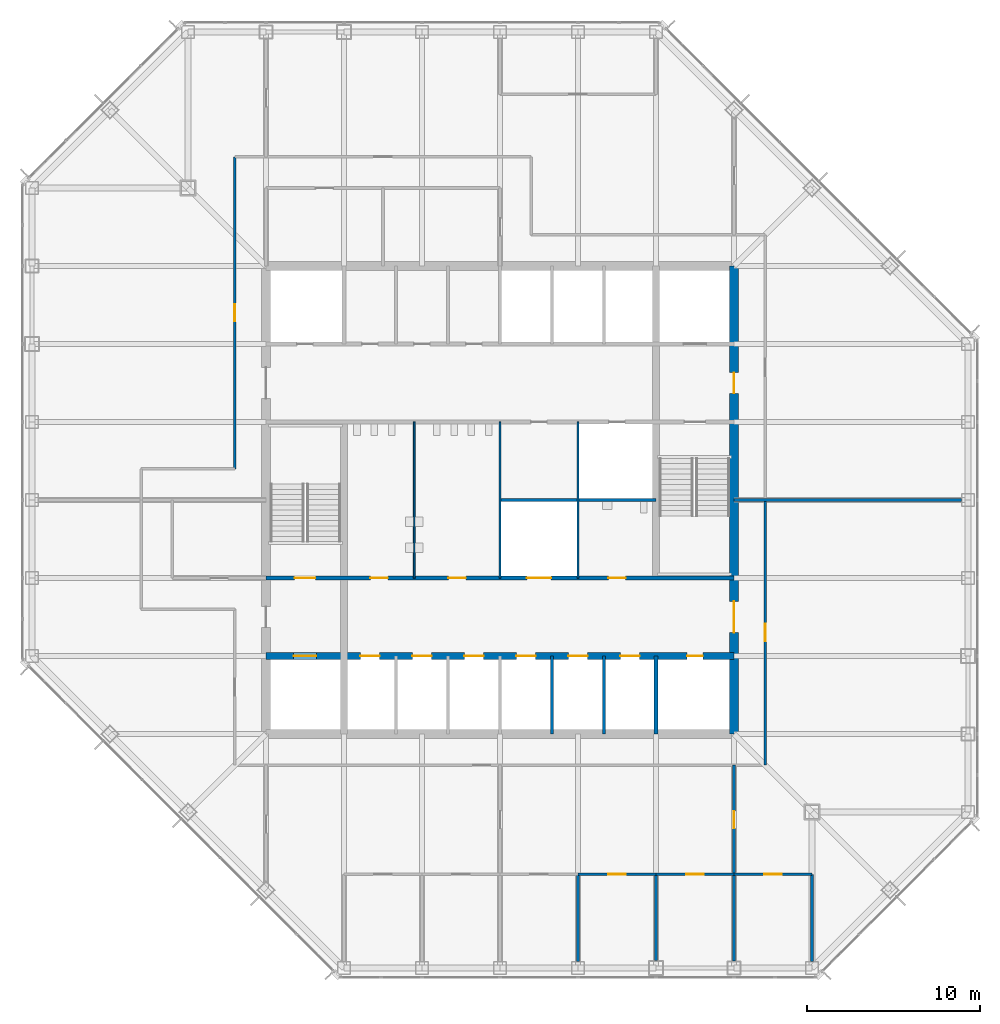
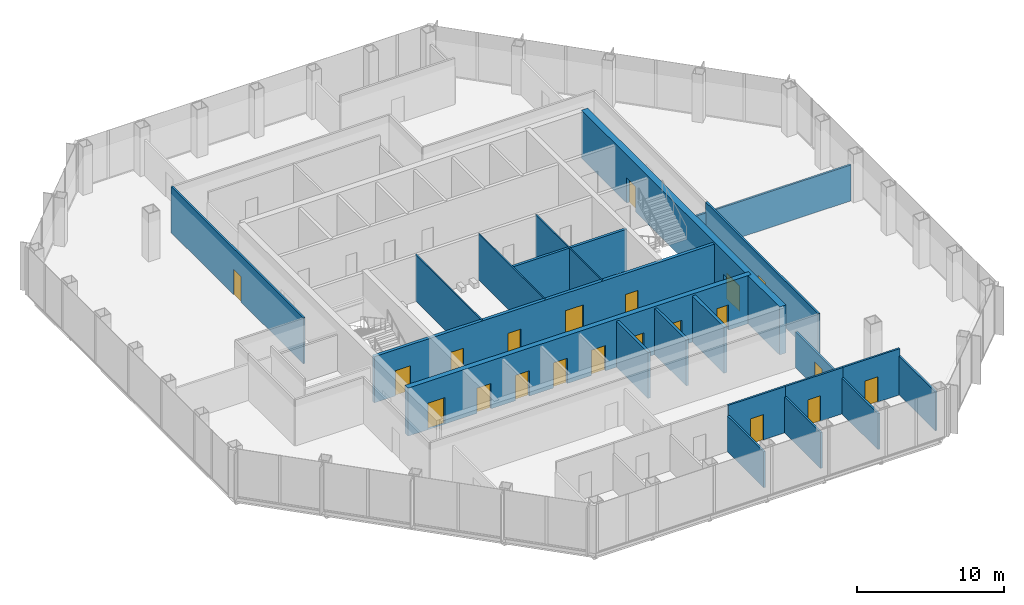
# One storey, part 9 of 12: 21 doors, 21 walls, 21 openings.
"""IFC4 building model written with IfcOpenShell, lengths in metres."""

from ifc_helpers import new_model, si_unit, direction, frame, frame_2d, origin, place, context, subcontext, project, spatial, rectangle, extrude, material, layer, layer_set, type_object, element, fill, save


model = new_model("IFC4")

# Units and contexts
model_context = context("Model", 3, precision=1e-05, world=origin(), true_north=direction((0.0, 1.0)))
body_context = subcontext(model_context, "Body", "Model", "MODEL_VIEW")
ifc_project = project(units=[si_unit("LENGTHUNIT", "METRE"), si_unit("AREAUNIT", "SQUARE_METRE"), si_unit("VOLUMEUNIT", "CUBIC_METRE"), si_unit("PLANEANGLEUNIT", "RADIAN"), si_unit("MASSUNIT", "GRAM", prefix="KILO")], contexts=[model_context])

# Site, building, storey
site_placement = place(None, origin())
site = spatial("IfcSite", under=ifc_project, at=site_placement, CompositionType="ELEMENT")
building_placement = place(site_placement, origin())
building = spatial("IfcBuilding", under=site, at=building_placement, Name="Corais Broadcast Tower", CompositionType="ELEMENT")
storey_placement = place(building_placement, frame((0.0, 0.0, 143.60009765625)))
storey = spatial("IfcBuildingStorey", under=building, at=storey_placement, Name="L32", CompositionType="ELEMENT", Elevation=143.60009765625)

# Wall
ifc_material_1 = material(Name="Concrete blockwork class A, grouted, two-hour", Category="masonry")
ifc_layer_1 = layer(ifc_material_1, 0.25)
ifc_layer_set_1 = layer_set([ifc_layer_1], Name="Concrete blockwork class A, grouted, two-hour")
wall_type_1 = type_object("IfcWallType", Name="Core lobby wall 250", PredefinedType="SOLIDWALL", material=ifc_layer_set_1)
wall_1_placement = place(storey_placement, frame((36.0, 13.5, 0.0), z_axis=(0.0, 0.0, 1.0), x_axis=(0.0, 1.0, 0.0)))
element("IfcWall", 1, at=wall_1_placement, inside=storey, type_object=wall_type_1, Name="CL2 core shaft wall X36A L32", PredefinedType="SOLIDWALL", context=body_context, shape_type="SweptSolid", body=[
    extrude(rectangle(XDim=4.5, YDim=0.25, at=frame_2d((2.25, 0.0))), origin(), (0.0, 0.0, 1.0), 3.83984375),
])

# Wall, openings, doors
wall_2_placement = place(storey_placement, frame((13.5, 22.5, 0.0), z_axis=(0.0, 0.0, 1.0), x_axis=(1.0, 0.0, 0.0)))
wall_2 = element("IfcWall", 2, at=wall_2_placement, inside=storey, type_object=wall_type_1, Name="CL2 core lobby wall Y225 L32", PredefinedType="SOLIDWALL", context=body_context, shape_type="SweptSolid", body=[
    extrude(rectangle(XDim=27.0, YDim=0.25, at=frame_2d((13.5, 0.0))), origin(), (0.0, 0.0, 1.0), 3.83984375),
])
opening_1_placement = place(wall_2_placement, frame((1.64990234375, 0.0, 0.0)))
opening_1 = element("IfcOpeningElement", 3, at=opening_1_placement, cuts=wall_2, Name="Opening FD1", PredefinedType="OPENING", context=body_context, shape_type="SweptSolid", body=[
    extrude(rectangle(XDim=1.199951171875, YDim=2.10009765625, at=frame_2d((0.60009765625, 1.050048828125))), frame((0.0, 0.135009765625, 0.0), z_axis=(0.0, -1.0, 0.0), x_axis=(1.0, 0.0, 0.0)), (0.0, 0.0, 1.0), 0.27001953125),
])
opening_2_placement = place(wall_2_placement, frame((6.02490234375, 0.0, 0.0)))
opening_2 = element("IfcOpeningElement", 4, at=opening_2_placement, cuts=wall_2, Name="Opening WD1", PredefinedType="OPENING", context=body_context, shape_type="SweptSolid", body=[
    extrude(rectangle(XDim=1.0, YDim=2.10009765625, at=frame_2d((0.5, 1.050048828125))), frame((0.0, 0.135009765625, 0.0), z_axis=(0.0, -1.0, 0.0), x_axis=(1.0, 0.0, 0.0)), (0.0, 0.0, 1.0), 0.27001953125),
])
opening_3_placement = place(wall_2_placement, frame((10.52490234375, 0.0, 0.0)))
opening_3 = element("IfcOpeningElement", 5, at=opening_3_placement, cuts=wall_2, Name="Opening WD1", PredefinedType="OPENING", context=body_context, shape_type="SweptSolid", body=[
    extrude(rectangle(XDim=1.0, YDim=2.10009765625, at=frame_2d((0.5, 1.050048828125))), frame((0.0, 0.135009765625, 0.0), z_axis=(0.0, -1.0, 0.0), x_axis=(1.0, 0.0, 0.0)), (0.0, 0.0, 1.0), 0.27001953125),
])
opening_4_placement = place(wall_2_placement, frame((19.75, 0.0, 0.0)))
opening_4 = element("IfcOpeningElement", 6, at=opening_4_placement, cuts=wall_2, Name="Opening WD1", PredefinedType="OPENING", context=body_context, shape_type="SweptSolid", body=[
    extrude(rectangle(XDim=1.0, YDim=2.10009765625, at=frame_2d((0.5, 1.050048828125))), frame((0.0, 0.135009765625, 0.0), z_axis=(0.0, -1.0, 0.0), x_axis=(1.0, 0.0, 0.0)), (0.0, 0.0, 1.0), 0.27001953125),
])
opening_5_placement = place(wall_2_placement, frame((15.050048828125, 0.0, 0.0)))
opening_5 = element("IfcOpeningElement", 7, at=opening_5_placement, cuts=wall_2, Name="Opening LD3", PredefinedType="OPENING", context=body_context, shape_type="SweptSolid", body=[
    extrude(rectangle(XDim=1.39990234375, YDim=2.39990234375, at=frame_2d((0.699951171875, 1.199951171875))), frame((0.0, 0.135009765625, 0.0), z_axis=(0.0, -1.0, 0.0), x_axis=(1.0, 0.0, 0.0)), (0.0, 0.0, 1.0), 0.27001953125),
])
ifc_material_2 = material(Name="Steel fire door", Category="steel")
door_type_1 = type_object("IfcDoorType", Name="Fire door 1200x2100", OperationType="SINGLE_SWING_LEFT", PredefinedType="DOOR", material=ifc_material_2)
door_1_placement = place(opening_1_placement, origin())
door_1 = element("IfcDoor", 8, at=door_1_placement, inside=storey, type_object=door_type_1, Name="FD1 stair A door L32", OperationType="SINGLE_SWING_LEFT", OverallHeight=2.10009765625, OverallWidth=1.199951171875, PredefinedType="DOOR", context=body_context, shape_type="SweptSolid", body=[
    extrude(rectangle(XDim=1.199951171875, YDim=2.10009765625, at=frame_2d((0.60009765625, 1.050048828125))), frame((0.0, 0.02490234375, 0.0), z_axis=(0.0, -1.0, 0.0), x_axis=(1.0, 0.0, 0.0)), (0.0, 0.0, 1.0), 0.050048828125),
])
fill(opening_1, door_1)
ifc_material_3 = material(Name="Stainless steel lift door", Category="steel")
door_type_2 = type_object("IfcDoorType", Name="Service lift landing door 1400x2400", OperationType="SLIDING_TO_LEFT", PredefinedType="DOOR", material=ifc_material_3)
door_2_placement = place(opening_5_placement, origin())
door_2 = element("IfcDoor", 9, at=door_2_placement, inside=storey, type_object=door_type_2, Name="LD3 SL1 landing door L32", OperationType="SLIDING_TO_LEFT", OverallHeight=2.39990234375, OverallWidth=1.39990234375, PredefinedType="DOOR", context=body_context, shape_type="SweptSolid", body=[
    extrude(rectangle(XDim=1.39990234375, YDim=2.39990234375, at=frame_2d((0.699951171875, 1.199951171875))), frame((0.0, 0.02490234375, 0.0), z_axis=(0.0, -1.0, 0.0), x_axis=(1.0, 0.0, 0.0)), (0.0, 0.0, 1.0), 0.050048828125),
])
fill(opening_5, door_2)
ifc_material_4 = material(Name="Timber door", Category="wood")
door_type_3 = type_object("IfcDoorType", Name="Toilet door 1000x2100", OperationType="SINGLE_SWING_LEFT", PredefinedType="DOOR", material=ifc_material_4)
door_3_placement = place(opening_2_placement, origin())
door_3 = element("IfcDoor", 10, at=door_3_placement, inside=storey, type_object=door_type_3, Name="WD1 WC male door L32", OperationType="SINGLE_SWING_LEFT", OverallHeight=2.10009765625, OverallWidth=1.0, PredefinedType="DOOR", context=body_context, shape_type="SweptSolid", body=[
    extrude(rectangle(XDim=1.0, YDim=2.10009765625, at=frame_2d((0.5, 1.050048828125))), frame((0.0, 0.02490234375, 0.0), z_axis=(0.0, -1.0, 0.0), x_axis=(1.0, 0.0, 0.0)), (0.0, 0.0, 1.0), 0.050048828125),
])
fill(opening_2, door_3)
door_4_placement = place(opening_3_placement, origin())
door_4 = element("IfcDoor", 11, at=door_4_placement, inside=storey, type_object=door_type_3, Name="WD1 WC female door L32", OperationType="SINGLE_SWING_LEFT", OverallHeight=2.10009765625, OverallWidth=1.0, PredefinedType="DOOR", context=body_context, shape_type="SweptSolid", body=[
    extrude(rectangle(XDim=1.0, YDim=2.10009765625, at=frame_2d((0.5, 1.050048828125))), frame((0.0, 0.02490234375, 0.0), z_axis=(0.0, -1.0, 0.0), x_axis=(1.0, 0.0, 0.0)), (0.0, 0.0, 1.0), 0.050048828125),
])
fill(opening_3, door_4)
door_5_placement = place(opening_4_placement, origin())
door_5 = element("IfcDoor", 12, at=door_5_placement, inside=storey, type_object=door_type_3, Name="WD1 accessible WC door L32", OperationType="SINGLE_SWING_RIGHT", OverallHeight=2.10009765625, OverallWidth=1.0, PredefinedType="DOOR", context=body_context, shape_type="SweptSolid", body=[
    extrude(rectangle(XDim=1.0, YDim=2.10009765625, at=frame_2d((0.5, 1.050048828125))), frame((0.0, 0.02490234375, 0.0), z_axis=(0.0, -1.0, 0.0), x_axis=(1.0, 0.0, 0.0)), (0.0, 0.0, 1.0), 0.050048828125),
])
fill(opening_4, door_5)

ifc_material_5 = material(Name="Concrete C50/60", Category="concrete")
ifc_layer_2 = layer(ifc_material_5, 0.39990234375)
ifc_layer_set_2 = layer_set([ifc_layer_2], Name="Concrete C50/60")
wall_type_2 = type_object("IfcWallType", Name="Core wall 400", PredefinedType="SHEAR", material=ifc_layer_set_2)
wall_3_placement = place(storey_placement, frame((13.5, 18.0, 0.0), z_axis=(0.0, 0.0, 1.0), x_axis=(1.0, 0.0, 0.0)))
wall_3 = element("IfcWall", 13, at=wall_3_placement, inside=storey, type_object=wall_type_2, Name="CR400 core wall Y18 L32", PredefinedType="SHEAR", context=body_context, shape_type="SweptSolid", body=[
    extrude(rectangle(XDim=27.0, YDim=0.39990234375, at=frame_2d((13.5, 0.0))), origin(), (0.0, 0.0, 1.0), 4.0),
])
opening_6_placement = place(wall_3_placement, frame((24.300048828125, 0.0, 0.0)))
opening_6 = element("IfcOpeningElement", 14, at=opening_6_placement, cuts=wall_3, Name="Opening RD1", PredefinedType="OPENING", context=body_context, shape_type="SweptSolid", body=[
    extrude(rectangle(XDim=0.89990234375, YDim=2.10009765625, at=frame_2d((0.449951171875, 1.050048828125))), frame((0.0, 0.2099609375, 0.0), z_axis=(0.0, -1.0, 0.0), x_axis=(1.0, 0.0, 0.0)), (0.0, 0.0, 1.0), 0.419921875),
])
opening_7_placement = place(wall_3_placement, frame((5.449951171875, 0.0, 0.0)))
opening_7 = element("IfcOpeningElement", 15, at=opening_7_placement, cuts=wall_3, Name="Opening LD1", PredefinedType="OPENING", context=body_context, shape_type="SweptSolid", body=[
    extrude(rectangle(XDim=1.10009765625, YDim=2.10009765625, at=frame_2d((0.550048828125, 1.050048828125))), frame((0.0, 0.2099609375, 0.0), z_axis=(0.0, -1.0, 0.0), x_axis=(1.0, 0.0, 0.0)), (0.0, 0.0, 1.0), 0.419921875),
])
opening_8_placement = place(wall_3_placement, frame((8.449951171875, 0.0, 0.0)))
opening_8 = element("IfcOpeningElement", 16, at=opening_8_placement, cuts=wall_3, Name="Opening LD1", PredefinedType="OPENING", context=body_context, shape_type="SweptSolid", body=[
    extrude(rectangle(XDim=1.10009765625, YDim=2.10009765625, at=frame_2d((0.550048828125, 1.050048828125))), frame((0.0, 0.2099609375, 0.0), z_axis=(0.0, -1.0, 0.0), x_axis=(1.0, 0.0, 0.0)), (0.0, 0.0, 1.0), 0.419921875),
])
opening_9_placement = place(wall_3_placement, frame((11.449951171875, 0.0, 0.0)))
opening_9 = element("IfcOpeningElement", 17, at=opening_9_placement, cuts=wall_3, Name="Opening LD1", PredefinedType="OPENING", context=body_context, shape_type="SweptSolid", body=[
    extrude(rectangle(XDim=1.10009765625, YDim=2.10009765625, at=frame_2d((0.550048828125, 1.050048828125))), frame((0.0, 0.2099609375, 0.0), z_axis=(0.0, -1.0, 0.0), x_axis=(1.0, 0.0, 0.0)), (0.0, 0.0, 1.0), 0.419921875),
])
opening_10_placement = place(wall_3_placement, frame((14.449951171875, 0.0, 0.0)))
opening_10 = element("IfcOpeningElement", 18, at=opening_10_placement, cuts=wall_3, Name="Opening LD1", PredefinedType="OPENING", context=body_context, shape_type="SweptSolid", body=[
    extrude(rectangle(XDim=1.10009765625, YDim=2.10009765625, at=frame_2d((0.550048828125, 1.050048828125))), frame((0.0, 0.2099609375, 0.0), z_axis=(0.0, -1.0, 0.0), x_axis=(1.0, 0.0, 0.0)), (0.0, 0.0, 1.0), 0.419921875),
])
opening_11_placement = place(wall_3_placement, frame((17.449951171875, 0.0, 0.0)))
opening_11 = element("IfcOpeningElement", 19, at=opening_11_placement, cuts=wall_3, Name="Opening LD1", PredefinedType="OPENING", context=body_context, shape_type="SweptSolid", body=[
    extrude(rectangle(XDim=1.10009765625, YDim=2.10009765625, at=frame_2d((0.550048828125, 1.050048828125))), frame((0.0, 0.2099609375, 0.0), z_axis=(0.0, -1.0, 0.0), x_axis=(1.0, 0.0, 0.0)), (0.0, 0.0, 1.0), 0.419921875),
])
opening_12_placement = place(wall_3_placement, frame((20.449951171875, 0.0, 0.0)))
opening_12 = element("IfcOpeningElement", 20, at=opening_12_placement, cuts=wall_3, Name="Opening LD1", PredefinedType="OPENING", context=body_context, shape_type="SweptSolid", body=[
    extrude(rectangle(XDim=1.10009765625, YDim=2.10009765625, at=frame_2d((0.550048828125, 1.050048828125))), frame((0.0, 0.2099609375, 0.0), z_axis=(0.0, -1.0, 0.0), x_axis=(1.0, 0.0, 0.0)), (0.0, 0.0, 1.0), 0.419921875),
])
opening_13_placement = place(wall_3_placement, frame((1.60009765625, 0.0, 0.0)))
opening_13 = element("IfcOpeningElement", 21, at=opening_13_placement, cuts=wall_3, Name="Opening LD2", PredefinedType="OPENING", context=body_context, shape_type="SweptSolid", body=[
    extrude(rectangle(XDim=1.300048828125, YDim=2.199951171875, at=frame_2d((0.64990234375, 1.10009765625))), frame((0.0, 0.2099609375, 0.0), z_axis=(0.0, -1.0, 0.0), x_axis=(1.0, 0.0, 0.0)), (0.0, 0.0, 1.0), 0.419921875),
])
ifc_material_6 = material(Name="Stainless steel lift door", Category="steel")
door_type_4 = type_object("IfcDoorType", Name="Lift landing door 1100x2100", OperationType="SLIDING_TO_LEFT", PredefinedType="DOOR", material=ifc_material_6)
door_6_placement = place(opening_7_placement, origin())
door_6 = element("IfcDoor", 22, at=door_6_placement, inside=storey, type_object=door_type_4, Name="LD1 PM1 landing door L32", OperationType="SLIDING_TO_LEFT", OverallHeight=2.10009765625, OverallWidth=1.10009765625, PredefinedType="DOOR", context=body_context, shape_type="SweptSolid", body=[
    extrude(rectangle(XDim=1.10009765625, YDim=2.10009765625, at=frame_2d((0.550048828125, 1.050048828125))), frame((0.0, 0.02490234375, 0.0), z_axis=(0.0, -1.0, 0.0), x_axis=(1.0, 0.0, 0.0)), (0.0, 0.0, 1.0), 0.050048828125),
])
fill(opening_7, door_6)
door_7_placement = place(opening_8_placement, origin())
door_7 = element("IfcDoor", 23, at=door_7_placement, inside=storey, type_object=door_type_4, Name="LD1 PM2 landing door L32", OperationType="SLIDING_TO_LEFT", OverallHeight=2.10009765625, OverallWidth=1.10009765625, PredefinedType="DOOR", context=body_context, shape_type="SweptSolid", body=[
    extrude(rectangle(XDim=1.10009765625, YDim=2.10009765625, at=frame_2d((0.550048828125, 1.050048828125))), frame((0.0, 0.02490234375, 0.0), z_axis=(0.0, -1.0, 0.0), x_axis=(1.0, 0.0, 0.0)), (0.0, 0.0, 1.0), 0.050048828125),
])
fill(opening_8, door_7)
door_8_placement = place(opening_9_placement, origin())
door_8 = element("IfcDoor", 24, at=door_8_placement, inside=storey, type_object=door_type_4, Name="LD1 PM3 landing door L32", OperationType="SLIDING_TO_LEFT", OverallHeight=2.10009765625, OverallWidth=1.10009765625, PredefinedType="DOOR", context=body_context, shape_type="SweptSolid", body=[
    extrude(rectangle(XDim=1.10009765625, YDim=2.10009765625, at=frame_2d((0.550048828125, 1.050048828125))), frame((0.0, 0.02490234375, 0.0), z_axis=(0.0, -1.0, 0.0), x_axis=(1.0, 0.0, 0.0)), (0.0, 0.0, 1.0), 0.050048828125),
])
fill(opening_9, door_8)
door_9_placement = place(opening_10_placement, origin())
door_9 = element("IfcDoor", 25, at=door_9_placement, inside=storey, type_object=door_type_4, Name="LD1 PM4 landing door L32", OperationType="SLIDING_TO_LEFT", OverallHeight=2.10009765625, OverallWidth=1.10009765625, PredefinedType="DOOR", context=body_context, shape_type="SweptSolid", body=[
    extrude(rectangle(XDim=1.10009765625, YDim=2.10009765625, at=frame_2d((0.550048828125, 1.050048828125))), frame((0.0, 0.02490234375, 0.0), z_axis=(0.0, -1.0, 0.0), x_axis=(1.0, 0.0, 0.0)), (0.0, 0.0, 1.0), 0.050048828125),
])
fill(opening_10, door_9)
door_10_placement = place(opening_11_placement, origin())
door_10 = element("IfcDoor", 26, at=door_10_placement, inside=storey, type_object=door_type_4, Name="LD1 PM5 landing door L32", OperationType="SLIDING_TO_LEFT", OverallHeight=2.10009765625, OverallWidth=1.10009765625, PredefinedType="DOOR", context=body_context, shape_type="SweptSolid", body=[
    extrude(rectangle(XDim=1.10009765625, YDim=2.10009765625, at=frame_2d((0.550048828125, 1.050048828125))), frame((0.0, 0.02490234375, 0.0), z_axis=(0.0, -1.0, 0.0), x_axis=(1.0, 0.0, 0.0)), (0.0, 0.0, 1.0), 0.050048828125),
])
fill(opening_11, door_10)
door_11_placement = place(opening_12_placement, origin())
door_11 = element("IfcDoor", 27, at=door_11_placement, inside=storey, type_object=door_type_4, Name="LD1 PM6 landing door L32", OperationType="SLIDING_TO_LEFT", OverallHeight=2.10009765625, OverallWidth=1.10009765625, PredefinedType="DOOR", context=body_context, shape_type="SweptSolid", body=[
    extrude(rectangle(XDim=1.10009765625, YDim=2.10009765625, at=frame_2d((0.550048828125, 1.050048828125))), frame((0.0, 0.02490234375, 0.0), z_axis=(0.0, -1.0, 0.0), x_axis=(1.0, 0.0, 0.0)), (0.0, 0.0, 1.0), 0.050048828125),
])
fill(opening_12, door_11)
ifc_material_7 = material(Name="Stainless steel lift door", Category="steel")
door_type_5 = type_object("IfcDoorType", Name="Lift landing door 1300x2200", OperationType="SLIDING_TO_LEFT", PredefinedType="DOOR", material=ifc_material_7)
door_12_placement = place(opening_13_placement, origin())
door_12 = element("IfcDoor", 28, at=door_12_placement, inside=storey, type_object=door_type_5, Name="LD2 FL1 landing door L32", OperationType="SLIDING_TO_LEFT", OverallHeight=2.199951171875, OverallWidth=1.300048828125, PredefinedType="DOOR", context=body_context, shape_type="SweptSolid", body=[
    extrude(rectangle(XDim=1.300048828125, YDim=2.199951171875, at=frame_2d((0.64990234375, 1.10009765625))), frame((0.0, 0.02490234375, 0.0), z_axis=(0.0, -1.0, 0.0), x_axis=(1.0, 0.0, 0.0)), (0.0, 0.0, 1.0), 0.050048828125),
])
fill(opening_13, door_12)
ifc_material_8 = material(Name="Steel fire door", Category="steel")
door_type_6 = type_object("IfcDoorType", Name="Riser door 900x2100", OperationType="SINGLE_SWING_LEFT", PredefinedType="DOOR", material=ifc_material_8)
door_13_placement = place(opening_6_placement, origin())
door_13 = element("IfcDoor", 29, at=door_13_placement, inside=storey, type_object=door_type_6, Name="RD1 riser door L32", OperationType="SINGLE_SWING_RIGHT", OverallHeight=2.10009765625, OverallWidth=0.89990234375, PredefinedType="DOOR", context=body_context, shape_type="SweptSolid", body=[
    extrude(rectangle(XDim=0.89990234375, YDim=2.10009765625, at=frame_2d((0.449951171875, 1.050048828125))), frame((0.0, 0.02490234375, 0.0), z_axis=(0.0, -1.0, 0.0), x_axis=(1.0, 0.0, 0.0)), (0.0, 0.0, 1.0), 0.050048828125),
])
fill(opening_6, door_13)

ifc_material_9 = material(Name="Concrete C50/60", Category="concrete")
ifc_layer_3 = layer(ifc_material_9, 0.5)
ifc_layer_set_3 = layer_set([ifc_layer_3], Name="Concrete C50/60")
wall_type_3 = type_object("IfcWallType", Name="Core wall 500", PredefinedType="SHEAR", material=ifc_layer_set_3)
wall_4_placement = place(storey_placement, frame((40.5, 13.5, 0.0), z_axis=(0.0, 0.0, 1.0), x_axis=(0.0, 1.0, 0.0)))
wall_4 = element("IfcWall", 30, at=wall_4_placement, inside=storey, type_object=wall_type_3, Name="CR500 core wall E L32", PredefinedType="SHEAR", context=body_context, shape_type="SweptSolid", body=[
    extrude(rectangle(XDim=27.0, YDim=0.5, at=frame_2d((13.5, 0.0))), origin(), (0.0, 0.0, 1.0), 4.0),
])
opening_14_placement = place(wall_4_placement, frame((5.85009765625, 0.0, 0.0)))
opening_14 = element("IfcOpeningElement", 31, at=opening_14_placement, cuts=wall_4, Name="Opening FD2", PredefinedType="OPENING", context=body_context, shape_type="SweptSolid", body=[
    extrude(rectangle(XDim=1.800048828125, YDim=2.10009765625, at=frame_2d((0.89990234375, 1.050048828125))), frame((0.0, 0.260009765625, 0.0), z_axis=(0.0, -1.0, 0.0), x_axis=(1.0, 0.0, 0.0)), (0.0, 0.0, 1.0), 0.52001953125),
])
opening_15_placement = place(wall_4_placement, frame((19.64990234375, 0.0, 0.0)))
opening_15 = element("IfcOpeningElement", 32, at=opening_15_placement, cuts=wall_4, Name="Opening FD1", PredefinedType="OPENING", context=body_context, shape_type="SweptSolid", body=[
    extrude(rectangle(XDim=1.199951171875, YDim=2.10009765625, at=frame_2d((0.60009765625, 1.050048828125))), frame((0.0, 0.260009765625, 0.0), z_axis=(0.0, -1.0, 0.0), x_axis=(1.0, 0.0, 0.0)), (0.0, 0.0, 1.0), 0.52001953125),
])
door_14_placement = place(opening_15_placement, origin())
door_14 = element("IfcDoor", 33, at=door_14_placement, inside=storey, type_object=door_type_1, Name="FD1 fire lobby B door L32", OperationType="SINGLE_SWING_RIGHT", OverallHeight=2.10009765625, OverallWidth=1.199951171875, PredefinedType="DOOR", context=body_context, shape_type="SweptSolid", body=[
    extrude(rectangle(XDim=1.199951171875, YDim=2.10009765625, at=frame_2d((0.60009765625, 1.050048828125))), frame((0.0, 0.02490234375, 0.0), z_axis=(0.0, -1.0, 0.0), x_axis=(1.0, 0.0, 0.0)), (0.0, 0.0, 1.0), 0.050048828125),
])
fill(opening_15, door_14)
ifc_material_10 = material(Name="Steel fire door", Category="steel")
door_type_7 = type_object("IfcDoorType", Name="Fire door pair 1800x2100", OperationType="DOUBLE_DOOR_SINGLE_SWING", PredefinedType="DOOR", material=ifc_material_10)
door_15_placement = place(opening_14_placement, origin())
door_15 = element("IfcDoor", 34, at=door_15_placement, inside=storey, type_object=door_type_7, Name="FD2 lift lobby door L32", OperationType="SINGLE_SWING_LEFT", OverallHeight=2.10009765625, OverallWidth=1.800048828125, PredefinedType="DOOR", context=body_context, shape_type="SweptSolid", body=[
    extrude(rectangle(XDim=1.800048828125, YDim=2.10009765625, at=frame_2d((0.89990234375, 1.050048828125))), frame((0.0, 0.02490234375, 0.0), z_axis=(0.0, -1.0, 0.0), x_axis=(1.0, 0.0, 0.0)), (0.0, 0.0, 1.0), 0.050048828125),
])
fill(opening_14, door_15)

# Wall
ifc_material_11 = material(Name="Two layers of fire-rated gypsum board each side on steel studs", Category="steel")
ifc_layer_4 = layer(ifc_material_11, 0.14990234375)
ifc_layer_set_4 = layer_set([ifc_layer_4], Name="Two layers of fire-rated gypsum board each side on steel studs")
wall_type_4 = type_object("IfcWallType", Name="Fire-rated partition 150 EI 60", PredefinedType="PARTITIONING", material=ifc_layer_set_4)
wall_5_placement = place(storey_placement, frame((40.5, 27.0, 0.0), z_axis=(0.0, 0.0, 1.0), x_axis=(1.0, 0.0, 0.0)))
element("IfcWall", 35, at=wall_5_placement, inside=storey, type_object=wall_type_4, Name="IW7 tenancy wall L32", PredefinedType="PARTITIONING", context=body_context, shape_type="SweptSolid", body=[
    extrude(rectangle(XDim=13.114990234375, YDim=0.14990234375, at=frame_2d((6.5576171875, 0.0))), origin(), (0.0, 0.0, 1.0), 2.989013671875),
])

# Wall, opening, door
ifc_material_12 = material(Name="Gypsum board on steel studs", Category="steel")
ifc_layer_5 = layer(ifc_material_12, 0.14990234375)
ifc_layer_set_5 = layer_set([ifc_layer_5], Name="Gypsum board on steel studs")
wall_type_5 = type_object("IfcWallType", Name="Partition 150", PredefinedType="PARTITIONING", material=ifc_layer_set_5)
wall_6_placement = place(storey_placement, frame((11.699951171875, 46.800048828125, 0.0), z_axis=(0.0, 0.0, 1.0), x_axis=(0.0, -1.0, 0.0)))
wall_6 = element("IfcWall", 36, at=wall_6_placement, inside=storey, type_object=wall_type_5, Name="IW3 corridor wall L32", PredefinedType="PARTITIONING", context=body_context, shape_type="SweptSolid", body=[
    extrude(rectangle(XDim=18.0, YDim=0.14990234375, at=frame_2d((9.0, 0.0))), origin(), (0.0, 0.0, 1.0), 3.83984375),
])
opening_16_placement = place(wall_6_placement, frame((8.5, 0.0, 0.0)))
opening_16 = element("IfcOpeningElement", 37, at=opening_16_placement, cuts=wall_6, Name="Opening D1", PredefinedType="OPENING", context=body_context, shape_type="SweptSolid", body=[
    extrude(rectangle(XDim=1.0, YDim=2.10009765625, at=frame_2d((0.5, 1.050048828125))), frame((0.0, 0.0849609375, 0.0), z_axis=(0.0, -1.0, 0.0), x_axis=(1.0, 0.0, 0.0)), (0.0, 0.0, 1.0), 0.169921875),
])
ifc_material_13 = material(Name="Timber door", Category="wood")
door_type_8 = type_object("IfcDoorType", Name="Single door 1000x2100", OperationType="SINGLE_SWING_LEFT", PredefinedType="DOOR", material=ifc_material_13)
door_16_placement = place(opening_16_placement, origin())
door_16 = element("IfcDoor", 38, at=door_16_placement, inside=storey, type_object=door_type_8, Name="D1 workplace door L32", OperationType="SINGLE_SWING_LEFT", OverallHeight=2.10009765625, OverallWidth=1.0, PredefinedType="DOOR", context=body_context, shape_type="SweptSolid", body=[
    extrude(rectangle(XDim=1.0, YDim=2.10009765625, at=frame_2d((0.5, 1.050048828125))), frame((0.0, 0.02490234375, 0.0), z_axis=(0.0, -1.0, 0.0), x_axis=(1.0, 0.0, 0.0)), (0.0, 0.0, 1.0), 0.050048828125),
])
fill(opening_16, door_16)

wall_7_placement = place(storey_placement, frame((42.300048828125, 11.699951171875, 0.0), z_axis=(0.0, 0.0, 1.0), x_axis=(0.0, 1.0, 0.0)))
wall_7 = element("IfcWall", 39, at=wall_7_placement, inside=storey, type_object=wall_type_5, Name="IW3 corridor wall L32", PredefinedType="PARTITIONING", context=body_context, shape_type="SweptSolid", body=[
    extrude(rectangle(XDim=15.299560546875, YDim=0.14990234375, at=frame_2d((7.64990234375, 0.0))), origin(), (0.0, 0.0, 1.0), 3.83984375),
])
opening_17_placement = place(wall_7_placement, frame((7.14990234375, 0.0, 0.0)))
opening_17 = element("IfcOpeningElement", 40, at=opening_17_placement, cuts=wall_7, Name="Opening D1", PredefinedType="OPENING", context=body_context, shape_type="SweptSolid", body=[
    extrude(rectangle(XDim=1.0, YDim=2.10009765625, at=frame_2d((0.5, 1.050048828125))), frame((0.0, 0.0849609375, 0.0), z_axis=(0.0, -1.0, 0.0), x_axis=(1.0, 0.0, 0.0)), (0.0, 0.0, 1.0), 0.169921875),
])
door_17_placement = place(opening_17_placement, origin())
door_17 = element("IfcDoor", 41, at=door_17_placement, inside=storey, type_object=door_type_8, Name="D1 workplace door L32", OperationType="SINGLE_SWING_RIGHT", OverallHeight=2.10009765625, OverallWidth=1.0, PredefinedType="DOOR", context=body_context, shape_type="SweptSolid", body=[
    extrude(rectangle(XDim=1.0, YDim=2.10009765625, at=frame_2d((0.5, 1.050048828125))), frame((0.0, 0.02490234375, 0.0), z_axis=(0.0, -1.0, 0.0), x_axis=(1.0, 0.0, 0.0)), (0.0, 0.0, 1.0), 0.050048828125),
])
fill(opening_17, door_17)

# Walls
wall_8_placement = place(storey_placement, frame((31.5, 0.385009765625, 0.0), z_axis=(0.0, 0.0, 1.0), x_axis=(0.0, 1.0, 0.0)))
element("IfcWall", 42, at=wall_8_placement, inside=storey, type_object=wall_type_5, Name="IW3 partition L32", PredefinedType="PARTITIONING", context=body_context, shape_type="SweptSolid", body=[
    extrude(rectangle(XDim=5.014892578125, YDim=0.14990234375, at=frame_2d((2.50732421875, 0.0))), origin(), (0.0, 0.0, 1.0), 2.989013671875),
])
wall_9_placement = place(storey_placement, frame((36.0, 0.43505859375, 0.0), z_axis=(0.0, 0.0, 1.0), x_axis=(0.0, 1.0, 0.0)))
element("IfcWall", 43, at=wall_9_placement, inside=storey, type_object=wall_type_5, Name="IW3 partition L32", PredefinedType="PARTITIONING", context=body_context, shape_type="SweptSolid", body=[
    extrude(rectangle(XDim=4.96484375, YDim=0.14990234375, at=frame_2d((2.482421875, 0.0))), origin(), (0.0, 0.0, 1.0), 2.989013671875),
])

# Wall, opening, door
wall_10_placement = place(storey_placement, frame((36.0, 5.39990234375, 0.0), z_axis=(0.0, 0.0, 1.0), x_axis=(-1.0, 0.0, 0.0)))
wall_10 = element("IfcWall", 44, at=wall_10_placement, inside=storey, type_object=wall_type_5, Name="IW3 partition L32", PredefinedType="PARTITIONING", context=body_context, shape_type="SweptSolid", body=[
    extrude(rectangle(XDim=4.5, YDim=0.14990234375, at=frame_2d((2.25, 0.0))), origin(), (0.0, 0.0, 1.0), 3.83984375),
])
opening_18_placement = place(wall_10_placement, frame((1.75, 0.0, 0.0)))
opening_18 = element("IfcOpeningElement", 45, at=opening_18_placement, cuts=wall_10, Name="Opening D1", PredefinedType="OPENING", context=body_context, shape_type="SweptSolid", body=[
    extrude(rectangle(XDim=1.0, YDim=2.10009765625, at=frame_2d((0.5, 1.050048828125))), frame((0.0, 0.0849609375, 0.0), z_axis=(0.0, -1.0, 0.0), x_axis=(1.0, 0.0, 0.0)), (0.0, 0.0, 1.0), 0.169921875),
])
door_18_placement = place(opening_18_placement, origin())
door_18 = element("IfcDoor", 46, at=door_18_placement, inside=storey, type_object=door_type_8, Name="D1 Office door", OperationType="SINGLE_SWING_LEFT", OverallHeight=2.10009765625, OverallWidth=1.0, PredefinedType="DOOR", context=body_context, shape_type="SweptSolid", body=[
    extrude(rectangle(XDim=1.0, YDim=2.10009765625, at=frame_2d((0.5, 1.050048828125))), frame((0.0, 0.02490234375, 0.0), z_axis=(0.0, -1.0, 0.0), x_axis=(1.0, 0.0, 0.0)), (0.0, 0.0, 1.0), 0.050048828125),
])
fill(opening_18, door_18)

# Wall
wall_11_placement = place(storey_placement, frame((40.5, 0.409912109375, 0.0), z_axis=(0.0, 0.0, 1.0), x_axis=(0.0, 1.0, 0.0)))
element("IfcWall", 47, at=wall_11_placement, inside=storey, type_object=wall_type_5, Name="IW3 partition L32", PredefinedType="PARTITIONING", context=body_context, shape_type="SweptSolid", body=[
    extrude(rectangle(XDim=4.989990234375, YDim=0.14990234375, at=frame_2d((2.4951171875, 0.0))), origin(), (0.0, 0.0, 1.0), 2.989013671875),
])

# Wall, opening, door
wall_12_placement = place(storey_placement, frame((40.5, 5.39990234375, 0.0), z_axis=(0.0, 0.0, 1.0), x_axis=(-1.0, 0.0, 0.0)))
wall_12 = element("IfcWall", 48, at=wall_12_placement, inside=storey, type_object=wall_type_5, Name="IW3 partition L32", PredefinedType="PARTITIONING", context=body_context, shape_type="SweptSolid", body=[
    extrude(rectangle(XDim=4.5, YDim=0.14990234375, at=frame_2d((2.25, 0.0))), origin(), (0.0, 0.0, 1.0), 3.83984375),
])
opening_19_placement = place(wall_12_placement, frame((1.75, 0.0, 0.0)))
opening_19 = element("IfcOpeningElement", 49, at=opening_19_placement, cuts=wall_12, Name="Opening D1", PredefinedType="OPENING", context=body_context, shape_type="SweptSolid", body=[
    extrude(rectangle(XDim=1.0, YDim=2.10009765625, at=frame_2d((0.5, 1.050048828125))), frame((0.0, 0.0849609375, 0.0), z_axis=(0.0, -1.0, 0.0), x_axis=(1.0, 0.0, 0.0)), (0.0, 0.0, 1.0), 0.169921875),
])
door_19_placement = place(opening_19_placement, origin())
door_19 = element("IfcDoor", 50, at=door_19_placement, inside=storey, type_object=door_type_8, Name="D1 Office door", OperationType="SINGLE_SWING_LEFT", OverallHeight=2.10009765625, OverallWidth=1.0, PredefinedType="DOOR", context=body_context, shape_type="SweptSolid", body=[
    extrude(rectangle(XDim=1.0, YDim=2.10009765625, at=frame_2d((0.5, 1.050048828125))), frame((0.0, 0.02490234375, 0.0), z_axis=(0.0, -1.0, 0.0), x_axis=(1.0, 0.0, 0.0)), (0.0, 0.0, 1.0), 0.050048828125),
])
fill(opening_19, door_19)

# Wall
wall_13_placement = place(storey_placement, frame((45.0, 0.385009765625, 0.0), z_axis=(0.0, 0.0, 1.0), x_axis=(0.0, 1.0, 0.0)))
element("IfcWall", 51, at=wall_13_placement, inside=storey, type_object=wall_type_5, Name="IW3 partition L32", PredefinedType="PARTITIONING", context=body_context, shape_type="SweptSolid", body=[
    extrude(rectangle(XDim=5.014892578125, YDim=0.14990234375, at=frame_2d((2.50732421875, 0.0))), origin(), (0.0, 0.0, 1.0), 3.22900390625),
])

# Wall, opening, door
wall_14_placement = place(storey_placement, frame((45.0, 5.39990234375, 0.0), z_axis=(0.0, 0.0, 1.0), x_axis=(-1.0, 0.0, 0.0)))
wall_14 = element("IfcWall", 52, at=wall_14_placement, inside=storey, type_object=wall_type_5, Name="IW3 partition L32", PredefinedType="PARTITIONING", context=body_context, shape_type="SweptSolid", body=[
    extrude(rectangle(XDim=4.5, YDim=0.14990234375, at=frame_2d((2.25, 0.0))), origin(), (0.0, 0.0, 1.0), 3.83984375),
])
opening_20_placement = place(wall_14_placement, frame((1.75, 0.0, 0.0)))
opening_20 = element("IfcOpeningElement", 53, at=opening_20_placement, cuts=wall_14, Name="Opening D1", PredefinedType="OPENING", context=body_context, shape_type="SweptSolid", body=[
    extrude(rectangle(XDim=1.0, YDim=2.10009765625, at=frame_2d((0.5, 1.050048828125))), frame((0.0, 0.0849609375, 0.0), z_axis=(0.0, -1.0, 0.0), x_axis=(1.0, 0.0, 0.0)), (0.0, 0.0, 1.0), 0.169921875),
])
door_20_placement = place(opening_20_placement, origin())
door_20 = element("IfcDoor", 54, at=door_20_placement, inside=storey, type_object=door_type_8, Name="D1 Office door", OperationType="SINGLE_SWING_LEFT", OverallHeight=2.10009765625, OverallWidth=1.0, PredefinedType="DOOR", context=body_context, shape_type="SweptSolid", body=[
    extrude(rectangle(XDim=1.0, YDim=2.10009765625, at=frame_2d((0.5, 1.050048828125))), frame((0.0, 0.02490234375, 0.0), z_axis=(0.0, -1.0, 0.0), x_axis=(1.0, 0.0, 0.0)), (0.0, 0.0, 1.0), 0.050048828125),
])
fill(opening_20, door_20)

wall_15_placement = place(storey_placement, frame((40.5, 5.39990234375, 0.0), z_axis=(0.0, 0.0, 1.0), x_axis=(0.0, 1.0, 0.0)))
wall_15 = element("IfcWall", 55, at=wall_15_placement, inside=storey, type_object=wall_type_5, Name="IW3 partition L32", PredefinedType="PARTITIONING", context=body_context, shape_type="SweptSolid", body=[
    extrude(rectangle(XDim=6.300048828125, YDim=0.14990234375, at=frame_2d((3.14990234375, 0.0))), origin(), (0.0, 0.0, 1.0), 2.989013671875),
])
opening_21_placement = place(wall_15_placement, frame((2.64990234375, 0.0, 0.0)))
opening_21 = element("IfcOpeningElement", 56, at=opening_21_placement, cuts=wall_15, Name="Opening D1", PredefinedType="OPENING", context=body_context, shape_type="SweptSolid", body=[
    extrude(rectangle(XDim=1.0, YDim=2.10009765625, at=frame_2d((0.5, 1.050048828125))), frame((0.0, 0.0849609375, 0.0), z_axis=(0.0, -1.0, 0.0), x_axis=(1.0, 0.0, 0.0)), (0.0, 0.0, 1.0), 0.169921875),
])
door_21_placement = place(opening_21_placement, origin())
door_21 = element("IfcDoor", 57, at=door_21_placement, inside=storey, type_object=door_type_8, Name="D1 team room door L32", OperationType="SINGLE_SWING_LEFT", OverallHeight=2.10009765625, OverallWidth=1.0, PredefinedType="DOOR", context=body_context, shape_type="SweptSolid", body=[
    extrude(rectangle(XDim=1.0, YDim=2.10009765625, at=frame_2d((0.5, 1.050048828125))), frame((0.0, 0.02490234375, 0.0), z_axis=(0.0, -1.0, 0.0), x_axis=(1.0, 0.0, 0.0)), (0.0, 0.0, 1.0), 0.050048828125),
])
fill(opening_21, door_21)

# Walls
ifc_material_14 = material(Name="Concrete blockwork class A, grouted, two-hour", Category="masonry")
ifc_layer_6 = layer(ifc_material_14, 0.199951171875)
ifc_layer_set_6 = layer_set([ifc_layer_6], Name="Concrete blockwork class A, grouted, two-hour")
wall_type_6 = type_object("IfcWallType", Name="Shaft wall 200", PredefinedType="PARTITIONING", material=ifc_layer_set_6)
for number, where, z_axis, x_axis, name in (
    (58, (30.0, 13.5, 0.0), (0.0, 0.0, 1.0), (0.0, 1.0, 0.0), "IW1 shaft wall L32"),
    (59, (33.0, 13.5, 0.0), (0.0, 0.0, 1.0), (0.0, 1.0, 0.0), "IW1 shaft wall L32"),
):
    element("IfcWall", number, at=place(storey_placement, frame(where, z_axis=z_axis, x_axis=x_axis)), inside=storey, type_object=wall_type_6, Name=name, PredefinedType="PARTITIONING", context=body_context, shape_type="SweptSolid", body=[
        extrude(rectangle(XDim=4.5, YDim=0.199951171875, at=frame_2d((2.25, 0.0))), origin(), (0.0, 0.0, 1.0), 3.83984375),
    ])
wall_16_placement = place(storey_placement, frame((27.0, 27.0, 0.0), z_axis=(0.0, 0.0, 1.0), x_axis=(1.0, 0.0, 0.0)))
element("IfcWall", 60, at=wall_16_placement, inside=storey, type_object=wall_type_6, Name="IW1 shaft wall L32", PredefinedType="PARTITIONING", context=body_context, shape_type="SweptSolid", body=[
    extrude(rectangle(XDim=9.0, YDim=0.199951171875, at=frame_2d((4.5, 0.0))), origin(), (0.0, 0.0, 1.0), 3.83984375),
])
ifc_material_15 = material(Name="Dense concrete blockwork class A, tiled both faces", Category="masonry")
ifc_layer_7 = layer(ifc_material_15, 0.10009765625)
ifc_layer_set_7 = layer_set([ifc_layer_7], Name="Dense concrete blockwork class A, tiled both faces")
wall_type_7 = type_object("IfcWallType", Name="Toilet wall 100", PredefinedType="PLUMBINGWALL", material=ifc_layer_set_7)
for number, where, z_axis, x_axis, name in (
    (61, (22.050048828125, 22.5, 0.0), (0.0, 0.0, 1.0), (0.0, 1.0, 0.0), "IW2 toilet wall L32"),
    (62, (27.0, 22.5, 0.0), (0.0, 0.0, 1.0), (0.0, 1.0, 0.0), "IW2 toilet wall L32"),
    (63, (31.5, 22.5, 0.0), (0.0, 0.0, 1.0), (0.0, 1.0, 0.0), "IW2 toilet wall L32"),
):
    element("IfcWall", number, at=place(storey_placement, frame(where, z_axis=z_axis, x_axis=x_axis)), inside=storey, type_object=wall_type_7, Name=name, PredefinedType="PLUMBINGWALL", context=body_context, shape_type="SweptSolid", body=[
        extrude(rectangle(XDim=9.0, YDim=0.10009765625, at=frame_2d((4.5, 0.0))), origin(), (0.0, 0.0, 1.0), 3.83984375),
    ])

save(model, "model.ifc")
